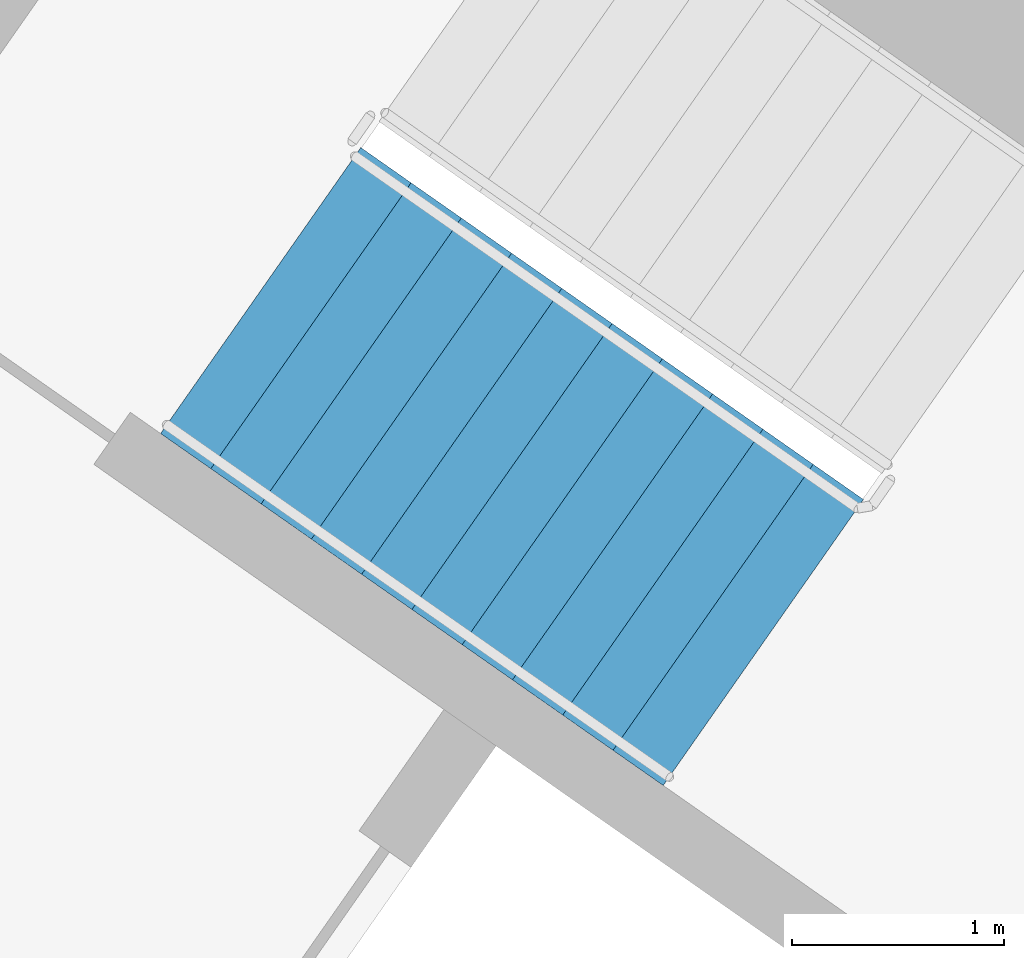
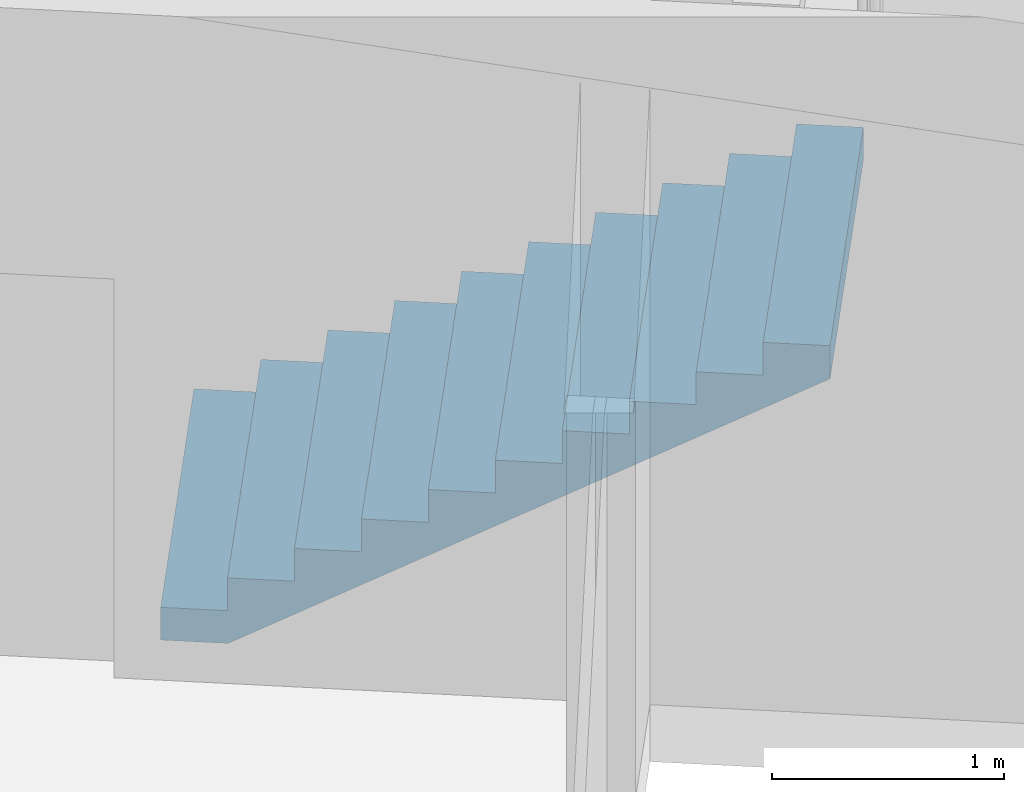
# One storey, part 13 of 31: 1 stair flight, 1 element without a shape of its own.
"""IFC4 building model written with IfcOpenShell, lengths in metres."""

from ifc_helpers import new_model, si_unit, direction, frame, origin, place, context, subcontext, project, spatial, faceted_brep, material, type_object, element, aggregate, save


model = new_model("IFC4")

# Units and contexts
model_context = context("Model", 3, precision=1e-05, world=origin(), true_north=direction((0.0, 1.0)))
body_context = subcontext(model_context, "Body", "Model", "MODEL_VIEW")
ifc_project = project(units=[si_unit("LENGTHUNIT", "METRE"), si_unit("AREAUNIT", "SQUARE_METRE"), si_unit("VOLUMEUNIT", "CUBIC_METRE"), si_unit("PLANEANGLEUNIT", "RADIAN"), si_unit("MASSUNIT", "GRAM", prefix="KILO")], contexts=[model_context])

# Site, building, storey
site_placement = place(None, origin())
site = spatial("IfcSite", under=ifc_project, at=site_placement, CompositionType="ELEMENT")
building_placement = place(site_placement, origin())
building = spatial("IfcBuilding", under=site, at=building_placement, Name="Qamariyya Broadcast Tower", CompositionType="ELEMENT")
storey_placement = place(building_placement, frame((0.0, 0.0, 74.699951171875)))
storey = spatial("IfcBuildingStorey", under=building, at=storey_placement, Name="L15", CompositionType="ELEMENT", Elevation=74.699951171875)

# Stair, stair flight
ifc_material = material(Name="Concrete C50/60", Category="concrete")
stair_type = type_object("IfcStairType", Name="Exit stair 22 risers of 173 mm", PredefinedType="HALF_TURN_STAIR", material=ifc_material)
stair_placement = place(storey_placement, origin())
stair = element("IfcStair", 1, at=stair_placement, inside=storey, type_object=stair_type, Name="L15 Stair W2", PredefinedType="HALF_TURN_STAIR")
stair_flight_type = type_object("IfcStairFlightType", Name="Exit stair flight 11 risers of 173 mm", PredefinedType="STRAIGHT", material=ifc_material)
stair_flight_placement = place(storey_placement, frame((-41.59130859375, -49.15966796875, 0.0), z_axis=(0.0, 0.0, 1.0), x_axis=(0.819152044289, -0.573576436351, 0.0)))
stair_flight = element("IfcStairFlight", 2, at=stair_flight_placement, type_object=stair_flight_type, Name="ST-W2 flight 1", NumberOfRisers=11, NumberOfTreads=10, PredefinedType="STRAIGHT", RiserHeight=0.172727273, TreadLength=0.29, context=body_context, shape_type="Brep", body=[
    faceted_brep([(0.0, 0.824951171875, 0.0), (0.0, 0.824951171875, 0.172607421875), (0.2900390625, 0.824951171875, 0.172607421875), (0.2900390625, 0.824951171875, 0.345458984375), (0.580078125, 0.824951171875, 0.345458984375), (0.580078125, 0.824951171875, 0.51806640625), (0.8701171875, 0.824951171875, 0.51806640625), (0.8701171875, 0.824951171875, 0.69091796875), (1.159912109375, 0.824951171875, 0.69091796875), (1.159912109375, 0.824951171875, 0.863525390625), (1.449951171875, 0.824951171875, 0.863525390625), (1.449951171875, 0.824951171875, 1.036376953125), (1.739990234375, 0.824951171875, 1.036376953125), (1.739990234375, 0.824951171875, 1.208984375), (2.030029296875, 0.824951171875, 1.208984375), (2.030029296875, 0.824951171875, 1.3818359375), (2.320068359375, 0.824951171875, 1.3818359375), (2.320068359375, 0.824951171875, 1.554443359375), (2.610107421875, 0.824951171875, 1.554443359375), (2.610107421875, 0.824951171875, 1.727294921875), (2.89990234375, 0.824951171875, 1.727294921875), (2.89990234375, 0.824951171875, 1.552734375), (0.29296875, 0.824951171875, 0.0), (0.29296875, -0.824951171875, 0.0), (2.89990234375, -0.824951171875, 1.552734375), (2.89990234375, -0.824951171875, 1.727294921875), (2.610107421875, -0.824951171875, 1.727294921875), (2.610107421875, -0.824951171875, 1.554443359375), (2.320068359375, -0.824951171875, 1.554443359375), (2.320068359375, -0.824951171875, 1.3818359375), (2.030029296875, -0.824951171875, 1.3818359375), (2.030029296875, -0.824951171875, 1.208984375), (1.739990234375, -0.824951171875, 1.208984375), (1.739990234375, -0.824951171875, 1.036376953125), (1.449951171875, -0.824951171875, 1.036376953125), (1.449951171875, -0.824951171875, 0.863525390625), (1.159912109375, -0.824951171875, 0.863525390625), (1.159912109375, -0.824951171875, 0.69091796875), (0.8701171875, -0.824951171875, 0.69091796875), (0.8701171875, -0.824951171875, 0.51806640625), (0.580078125, -0.824951171875, 0.51806640625), (0.580078125, -0.824951171875, 0.345458984375), (0.2900390625, -0.824951171875, 0.345458984375), (0.2900390625, -0.824951171875, 0.172607421875), (0.0, -0.824951171875, 0.172607421875), (0.0, -0.824951171875, 0.0), (0.0, 0.10009765625, 0.0), (0.0, 0.086669921875, 0.0), (0.0, 0.0732421875, 0.0), (0.0, 0.06005859375, 0.0), (0.0, 0.046630859375, 0.0), (0.0, 0.033447265625, 0.0), (0.0, 0.02001953125, 0.0), (0.0, 0.006591796875, 0.0), (0.0, -0.006591796875, 0.0), (0.0, -0.02001953125, 0.0), (0.0, -0.033447265625, 0.0), (0.0, -0.046630859375, 0.0), (0.0, -0.06005859375, 0.0), (0.0, -0.0732421875, 0.0), (0.0, -0.086669921875, 0.0), (0.0, -0.10009765625, 0.0), (0.0, -0.10009765625, 0.172607421875), (0.0, -0.086669921875, 0.172607421875), (0.0, -0.0732421875, 0.172607421875), (0.0, -0.06005859375, 0.172607421875), (0.0, -0.046630859375, 0.172607421875), (0.0, -0.033447265625, 0.172607421875), (0.0, -0.02001953125, 0.172607421875), (0.0, -0.006591796875, 0.172607421875), (0.0, 0.006591796875, 0.172607421875), (0.0, 0.02001953125, 0.172607421875), (0.0, 0.033447265625, 0.172607421875), (0.0, 0.046630859375, 0.172607421875), (0.0, 0.06005859375, 0.172607421875), (0.0, 0.0732421875, 0.172607421875), (0.0, 0.086669921875, 0.172607421875), (0.0, 0.10009765625, 0.172607421875), (0.2900390625, -0.10009765625, 0.172607421875), (0.2900390625, -0.086669921875, 0.172607421875), (0.2900390625, -0.0732421875, 0.172607421875), (0.2900390625, -0.06005859375, 0.172607421875), (0.2900390625, -0.046630859375, 0.172607421875), (0.2900390625, -0.033447265625, 0.172607421875), (0.2900390625, -0.02001953125, 0.172607421875), (0.2900390625, -0.006591796875, 0.172607421875), (0.2900390625, 0.006591796875, 0.172607421875), (0.2900390625, 0.02001953125, 0.172607421875), (0.2900390625, 0.033447265625, 0.172607421875), (0.2900390625, 0.046630859375, 0.172607421875), (0.2900390625, 0.06005859375, 0.172607421875), (0.2900390625, 0.0732421875, 0.172607421875), (0.2900390625, 0.086669921875, 0.172607421875), (0.2900390625, 0.10009765625, 0.172607421875), (0.2900390625, -0.10009765625, 0.345458984375), (0.2900390625, -0.086669921875, 0.345458984375), (0.2900390625, -0.0732421875, 0.345458984375), (0.2900390625, -0.06005859375, 0.345458984375), (0.2900390625, -0.046630859375, 0.345458984375), (0.2900390625, -0.033447265625, 0.345458984375), (0.2900390625, -0.02001953125, 0.345458984375), (0.2900390625, -0.006591796875, 0.345458984375), (0.2900390625, 0.006591796875, 0.345458984375), (0.2900390625, 0.02001953125, 0.345458984375), (0.2900390625, 0.033447265625, 0.345458984375), (0.2900390625, 0.046630859375, 0.345458984375), (0.2900390625, 0.06005859375, 0.345458984375), (0.2900390625, 0.0732421875, 0.345458984375), (0.2900390625, 0.086669921875, 0.345458984375), (0.2900390625, 0.10009765625, 0.345458984375), (0.580078125, -0.10009765625, 0.345458984375), (0.580078125, -0.086669921875, 0.345458984375), (0.580078125, -0.0732421875, 0.345458984375), (0.580078125, -0.06005859375, 0.345458984375), (0.580078125, -0.046630859375, 0.345458984375), (0.580078125, -0.033447265625, 0.345458984375), (0.580078125, -0.02001953125, 0.345458984375), (0.580078125, -0.006591796875, 0.345458984375), (0.580078125, 0.006591796875, 0.345458984375), (0.580078125, 0.02001953125, 0.345458984375), (0.580078125, 0.033447265625, 0.345458984375), (0.580078125, 0.046630859375, 0.345458984375), (0.580078125, 0.06005859375, 0.345458984375), (0.580078125, 0.0732421875, 0.345458984375), (0.580078125, 0.086669921875, 0.345458984375), (0.580078125, 0.10009765625, 0.345458984375), (0.580078125, -0.10009765625, 0.51806640625), (0.580078125, -0.086669921875, 0.51806640625), (0.580078125, -0.0732421875, 0.51806640625), (0.580078125, -0.06005859375, 0.51806640625), (0.580078125, -0.046630859375, 0.51806640625), (0.580078125, -0.033447265625, 0.51806640625), (0.580078125, -0.02001953125, 0.51806640625), (0.580078125, -0.006591796875, 0.51806640625), (0.580078125, 0.006591796875, 0.51806640625), (0.580078125, 0.02001953125, 0.51806640625), (0.580078125, 0.033447265625, 0.51806640625), (0.580078125, 0.046630859375, 0.51806640625), (0.580078125, 0.06005859375, 0.51806640625), (0.580078125, 0.0732421875, 0.51806640625), (0.580078125, 0.086669921875, 0.51806640625), (0.580078125, 0.10009765625, 0.51806640625), (0.8701171875, -0.10009765625, 0.51806640625), (0.8701171875, -0.086669921875, 0.51806640625), (0.8701171875, -0.0732421875, 0.51806640625), (0.8701171875, -0.06005859375, 0.51806640625), (0.8701171875, -0.046630859375, 0.51806640625), (0.8701171875, -0.033447265625, 0.51806640625), (0.8701171875, -0.02001953125, 0.51806640625), (0.8701171875, -0.006591796875, 0.51806640625), (0.8701171875, 0.006591796875, 0.51806640625), (0.8701171875, 0.02001953125, 0.51806640625), (0.8701171875, 0.033447265625, 0.51806640625), (0.8701171875, 0.046630859375, 0.51806640625), (0.8701171875, 0.06005859375, 0.51806640625), (0.8701171875, 0.0732421875, 0.51806640625), (0.8701171875, 0.086669921875, 0.51806640625), (0.8701171875, 0.10009765625, 0.51806640625), (0.8701171875, -0.10009765625, 0.69091796875), (0.8701171875, -0.086669921875, 0.69091796875), (0.8701171875, -0.0732421875, 0.69091796875), (0.8701171875, -0.06005859375, 0.69091796875), (0.8701171875, -0.046630859375, 0.69091796875), (0.8701171875, -0.033447265625, 0.69091796875), (0.8701171875, -0.02001953125, 0.69091796875), (0.8701171875, -0.006591796875, 0.69091796875), (0.8701171875, 0.006591796875, 0.69091796875), (0.8701171875, 0.02001953125, 0.69091796875), (0.8701171875, 0.033447265625, 0.69091796875), (0.8701171875, 0.046630859375, 0.69091796875), (0.8701171875, 0.06005859375, 0.69091796875), (0.8701171875, 0.0732421875, 0.69091796875), (0.8701171875, 0.086669921875, 0.69091796875), (0.8701171875, 0.10009765625, 0.69091796875), (1.159912109375, -0.10009765625, 0.69091796875), (1.159912109375, -0.086669921875, 0.69091796875), (1.159912109375, -0.0732421875, 0.69091796875), (1.159912109375, -0.06005859375, 0.69091796875), (1.159912109375, -0.046630859375, 0.69091796875), (1.159912109375, -0.033447265625, 0.69091796875), (1.159912109375, -0.02001953125, 0.69091796875), (1.159912109375, -0.006591796875, 0.69091796875), (1.159912109375, 0.006591796875, 0.69091796875), (1.159912109375, 0.02001953125, 0.69091796875), (1.159912109375, 0.033447265625, 0.69091796875), (1.159912109375, 0.046630859375, 0.69091796875), (1.159912109375, 0.06005859375, 0.69091796875), (1.159912109375, 0.0732421875, 0.69091796875), (1.159912109375, 0.086669921875, 0.69091796875), (1.159912109375, 0.10009765625, 0.69091796875), (1.159912109375, -0.10009765625, 0.863525390625), (1.159912109375, -0.086669921875, 0.863525390625), (1.159912109375, -0.0732421875, 0.863525390625), (1.159912109375, -0.06005859375, 0.863525390625), (1.159912109375, -0.046630859375, 0.863525390625), (1.159912109375, -0.033447265625, 0.863525390625), (1.159912109375, -0.02001953125, 0.863525390625), (1.159912109375, -0.006591796875, 0.863525390625), (1.159912109375, 0.006591796875, 0.863525390625), (1.159912109375, 0.02001953125, 0.863525390625), (1.159912109375, 0.033447265625, 0.863525390625), (1.159912109375, 0.046630859375, 0.863525390625), (1.159912109375, 0.06005859375, 0.863525390625), (1.159912109375, 0.0732421875, 0.863525390625), (1.159912109375, 0.086669921875, 0.863525390625), (1.159912109375, 0.10009765625, 0.863525390625), (1.449951171875, -0.10009765625, 0.863525390625), (1.449951171875, -0.086669921875, 0.863525390625), (1.449951171875, -0.0732421875, 0.863525390625), (1.449951171875, -0.06005859375, 0.863525390625), (1.449951171875, -0.046630859375, 0.863525390625), (1.449951171875, -0.033447265625, 0.863525390625), (1.449951171875, -0.02001953125, 0.863525390625), (1.449951171875, -0.006591796875, 0.863525390625), (1.449951171875, 0.006591796875, 0.863525390625), (1.449951171875, 0.02001953125, 0.863525390625), (1.449951171875, 0.033447265625, 0.863525390625), (1.449951171875, 0.046630859375, 0.863525390625), (1.449951171875, 0.06005859375, 0.863525390625), (1.449951171875, 0.0732421875, 0.863525390625), (1.449951171875, 0.086669921875, 0.863525390625), (1.449951171875, 0.10009765625, 0.863525390625), (1.449951171875, -0.10009765625, 1.036376953125), (1.449951171875, -0.086669921875, 1.036376953125), (1.449951171875, -0.0732421875, 1.036376953125), (1.449951171875, -0.06005859375, 1.036376953125), (1.449951171875, -0.046630859375, 1.036376953125), (1.449951171875, -0.033447265625, 1.036376953125), (1.449951171875, -0.02001953125, 1.036376953125), (1.449951171875, -0.006591796875, 1.036376953125), (1.449951171875, 0.006591796875, 1.036376953125), (1.449951171875, 0.02001953125, 1.036376953125), (1.449951171875, 0.033447265625, 1.036376953125), (1.449951171875, 0.046630859375, 1.036376953125), (1.449951171875, 0.06005859375, 1.036376953125), (1.449951171875, 0.0732421875, 1.036376953125), (1.449951171875, 0.086669921875, 1.036376953125), (1.449951171875, 0.10009765625, 1.036376953125), (1.739990234375, -0.10009765625, 1.036376953125), (1.739990234375, -0.086669921875, 1.036376953125), (1.739990234375, -0.0732421875, 1.036376953125), (1.739990234375, -0.06005859375, 1.036376953125), (1.739990234375, -0.046630859375, 1.036376953125), (1.739990234375, -0.033447265625, 1.036376953125), (1.739990234375, -0.02001953125, 1.036376953125), (1.739990234375, -0.006591796875, 1.036376953125), (1.739990234375, 0.006591796875, 1.036376953125), (1.739990234375, 0.02001953125, 1.036376953125), (1.739990234375, 0.033447265625, 1.036376953125), (1.739990234375, 0.046630859375, 1.036376953125), (1.739990234375, 0.06005859375, 1.036376953125), (1.739990234375, 0.0732421875, 1.036376953125), (1.739990234375, 0.086669921875, 1.036376953125), (1.739990234375, 0.10009765625, 1.036376953125), (1.739990234375, -0.10009765625, 1.208984375), (1.739990234375, -0.086669921875, 1.208984375), (1.739990234375, -0.0732421875, 1.208984375), (1.739990234375, -0.06005859375, 1.208984375), (1.739990234375, -0.046630859375, 1.208984375), (1.739990234375, -0.033447265625, 1.208984375), (1.739990234375, -0.02001953125, 1.208984375), (1.739990234375, -0.006591796875, 1.208984375), (1.739990234375, 0.006591796875, 1.208984375), (1.739990234375, 0.02001953125, 1.208984375), (1.739990234375, 0.033447265625, 1.208984375), (1.739990234375, 0.046630859375, 1.208984375), (1.739990234375, 0.06005859375, 1.208984375), (1.739990234375, 0.0732421875, 1.208984375), (1.739990234375, 0.086669921875, 1.208984375), (1.739990234375, 0.10009765625, 1.208984375), (2.030029296875, -0.10009765625, 1.208984375), (2.030029296875, -0.086669921875, 1.208984375), (2.030029296875, -0.0732421875, 1.208984375), (2.030029296875, -0.06005859375, 1.208984375), (2.030029296875, -0.046630859375, 1.208984375), (2.030029296875, -0.033447265625, 1.208984375), (2.030029296875, -0.02001953125, 1.208984375), (2.030029296875, -0.006591796875, 1.208984375), (2.030029296875, 0.006591796875, 1.208984375), (2.030029296875, 0.02001953125, 1.208984375), (2.030029296875, 0.033447265625, 1.208984375), (2.030029296875, 0.046630859375, 1.208984375), (2.030029296875, 0.06005859375, 1.208984375), (2.030029296875, 0.0732421875, 1.208984375), (2.030029296875, 0.086669921875, 1.208984375), (2.030029296875, 0.10009765625, 1.208984375), (2.030029296875, -0.10009765625, 1.3818359375), (2.030029296875, -0.086669921875, 1.3818359375), (2.030029296875, -0.0732421875, 1.3818359375), (2.030029296875, -0.06005859375, 1.3818359375), (2.030029296875, -0.046630859375, 1.3818359375), (2.030029296875, -0.033447265625, 1.3818359375), (2.030029296875, -0.02001953125, 1.3818359375), (2.030029296875, -0.006591796875, 1.3818359375), (2.030029296875, 0.006591796875, 1.3818359375), (2.030029296875, 0.02001953125, 1.3818359375), (2.030029296875, 0.033447265625, 1.3818359375), (2.030029296875, 0.046630859375, 1.3818359375), (2.030029296875, 0.06005859375, 1.3818359375), (2.030029296875, 0.0732421875, 1.3818359375), (2.030029296875, 0.086669921875, 1.3818359375), (2.030029296875, 0.10009765625, 1.3818359375), (2.320068359375, -0.10009765625, 1.3818359375), (2.320068359375, -0.086669921875, 1.3818359375), (2.320068359375, -0.0732421875, 1.3818359375), (2.320068359375, -0.06005859375, 1.3818359375), (2.320068359375, -0.046630859375, 1.3818359375), (2.320068359375, -0.033447265625, 1.3818359375), (2.320068359375, -0.02001953125, 1.3818359375), (2.320068359375, -0.006591796875, 1.3818359375), (2.320068359375, 0.006591796875, 1.3818359375), (2.320068359375, 0.02001953125, 1.3818359375), (2.320068359375, 0.033447265625, 1.3818359375), (2.320068359375, 0.046630859375, 1.3818359375), (2.320068359375, 0.06005859375, 1.3818359375), (2.320068359375, 0.0732421875, 1.3818359375), (2.320068359375, 0.086669921875, 1.3818359375), (2.320068359375, 0.10009765625, 1.3818359375), (2.320068359375, -0.10009765625, 1.554443359375), (2.320068359375, -0.086669921875, 1.554443359375), (2.320068359375, -0.0732421875, 1.554443359375), (2.320068359375, -0.06005859375, 1.554443359375), (2.320068359375, -0.046630859375, 1.554443359375), (2.320068359375, -0.033447265625, 1.554443359375), (2.320068359375, -0.02001953125, 1.554443359375), (2.320068359375, -0.006591796875, 1.554443359375), (2.320068359375, 0.006591796875, 1.554443359375), (2.320068359375, 0.02001953125, 1.554443359375), (2.320068359375, 0.033447265625, 1.554443359375), (2.320068359375, 0.046630859375, 1.554443359375), (2.320068359375, 0.06005859375, 1.554443359375), (2.320068359375, 0.0732421875, 1.554443359375), (2.320068359375, 0.086669921875, 1.554443359375), (2.320068359375, 0.10009765625, 1.554443359375), (2.610107421875, -0.10009765625, 1.554443359375), (2.610107421875, -0.086669921875, 1.554443359375), (2.610107421875, -0.0732421875, 1.554443359375), (2.610107421875, -0.06005859375, 1.554443359375), (2.610107421875, -0.046630859375, 1.554443359375), (2.610107421875, -0.033447265625, 1.554443359375), (2.610107421875, -0.02001953125, 1.554443359375), (2.610107421875, -0.006591796875, 1.554443359375), (2.610107421875, 0.006591796875, 1.554443359375), (2.610107421875, 0.02001953125, 1.554443359375), (2.610107421875, 0.033447265625, 1.554443359375), (2.610107421875, 0.046630859375, 1.554443359375), (2.610107421875, 0.06005859375, 1.554443359375), (2.610107421875, 0.0732421875, 1.554443359375), (2.610107421875, 0.086669921875, 1.554443359375), (2.610107421875, 0.10009765625, 1.554443359375), (2.610107421875, -0.10009765625, 1.727294921875), (2.610107421875, -0.086669921875, 1.727294921875), (2.610107421875, -0.0732421875, 1.727294921875), (2.610107421875, -0.06005859375, 1.727294921875), (2.610107421875, -0.046630859375, 1.727294921875), (2.610107421875, -0.033447265625, 1.727294921875), (2.610107421875, -0.02001953125, 1.727294921875), (2.610107421875, -0.006591796875, 1.727294921875), (2.610107421875, 0.006591796875, 1.727294921875), (2.610107421875, 0.02001953125, 1.727294921875), (2.610107421875, 0.033447265625, 1.727294921875), (2.610107421875, 0.046630859375, 1.727294921875), (2.610107421875, 0.06005859375, 1.727294921875), (2.610107421875, 0.0732421875, 1.727294921875), (2.610107421875, 0.086669921875, 1.727294921875), (2.610107421875, 0.10009765625, 1.727294921875), (2.89990234375, -0.10009765625, 1.727294921875), (2.89990234375, -0.086669921875, 1.727294921875), (2.89990234375, -0.0732421875, 1.727294921875), (2.89990234375, -0.06005859375, 1.727294921875), (2.89990234375, -0.046630859375, 1.727294921875), (2.89990234375, -0.033447265625, 1.727294921875), (2.89990234375, -0.02001953125, 1.727294921875), (2.89990234375, -0.006591796875, 1.727294921875), (2.89990234375, 0.006591796875, 1.727294921875), (2.89990234375, 0.02001953125, 1.727294921875), (2.89990234375, 0.033447265625, 1.727294921875), (2.89990234375, 0.046630859375, 1.727294921875), (2.89990234375, 0.06005859375, 1.727294921875), (2.89990234375, 0.0732421875, 1.727294921875), (2.89990234375, 0.086669921875, 1.727294921875), (2.89990234375, 0.10009765625, 1.727294921875), (2.89990234375, -0.10009765625, 1.552734375), (2.89990234375, -0.086669921875, 1.552734375), (2.89990234375, -0.0732421875, 1.552734375), (2.89990234375, -0.06005859375, 1.552734375), (2.89990234375, -0.046630859375, 1.552734375), (2.89990234375, -0.033447265625, 1.552734375), (2.89990234375, -0.02001953125, 1.552734375), (2.89990234375, -0.006591796875, 1.552734375), (2.89990234375, 0.006591796875, 1.552734375), (2.89990234375, 0.02001953125, 1.552734375), (2.89990234375, 0.033447265625, 1.552734375), (2.89990234375, 0.046630859375, 1.552734375), (2.89990234375, 0.06005859375, 1.552734375), (2.89990234375, 0.0732421875, 1.552734375), (2.89990234375, 0.086669921875, 1.552734375), (2.89990234375, 0.10009765625, 1.552734375), (0.29296875, -0.10009765625, 0.0), (0.29296875, -0.086669921875, 0.0), (0.29296875, -0.0732421875, 0.0), (0.29296875, -0.06005859375, 0.0), (0.29296875, -0.046630859375, 0.0), (0.29296875, -0.033447265625, 0.0), (0.29296875, -0.02001953125, 0.0), (0.29296875, -0.006591796875, 0.0), (0.29296875, 0.006591796875, 0.0), (0.29296875, 0.02001953125, 0.0), (0.29296875, 0.033447265625, 0.0), (0.29296875, 0.046630859375, 0.0), (0.29296875, 0.06005859375, 0.0), (0.29296875, 0.0732421875, 0.0), (0.29296875, 0.086669921875, 0.0), (0.29296875, 0.10009765625, 0.0)], [[[0, 1, 2, 3, 4, 5, 6, 7, 8, 9, 10, 11, 12, 13, 14, 15, 16, 17, 18, 19, 20, 21, 22]], [[23, 24, 25, 26, 27, 28, 29, 30, 31, 32, 33, 34, 35, 36, 37, 38, 39, 40, 41, 42, 43, 44, 45]], [[0, 46, 47, 48, 49, 50, 51, 52, 53, 54, 55, 56, 57, 58, 59, 60, 61, 45, 44, 62, 63, 64, 65, 66, 67, 68, 69, 70, 71, 72, 73, 74, 75, 76, 77, 1]], [[1, 77, 76, 75, 74, 73, 72, 71, 70, 69, 68, 67, 66, 65, 64, 63, 62, 44, 43, 78, 79, 80, 81, 82, 83, 84, 85, 86, 87, 88, 89, 90, 91, 92, 93, 2]], [[2, 93, 92, 91, 90, 89, 88, 87, 86, 85, 84, 83, 82, 81, 80, 79, 78, 43, 42, 94, 95, 96, 97, 98, 99, 100, 101, 102, 103, 104, 105, 106, 107, 108, 109, 3]], [[3, 109, 108, 107, 106, 105, 104, 103, 102, 101, 100, 99, 98, 97, 96, 95, 94, 42, 41, 110, 111, 112, 113, 114, 115, 116, 117, 118, 119, 120, 121, 122, 123, 124, 125, 4]], [[4, 125, 124, 123, 122, 121, 120, 119, 118, 117, 116, 115, 114, 113, 112, 111, 110, 41, 40, 126, 127, 128, 129, 130, 131, 132, 133, 134, 135, 136, 137, 138, 139, 140, 141, 5]], [[5, 141, 140, 139, 138, 137, 136, 135, 134, 133, 132, 131, 130, 129, 128, 127, 126, 40, 39, 142, 143, 144, 145, 146, 147, 148, 149, 150, 151, 152, 153, 154, 155, 156, 157, 6]], [[6, 157, 156, 155, 154, 153, 152, 151, 150, 149, 148, 147, 146, 145, 144, 143, 142, 39, 38, 158, 159, 160, 161, 162, 163, 164, 165, 166, 167, 168, 169, 170, 171, 172, 173, 7]], [[7, 173, 172, 171, 170, 169, 168, 167, 166, 165, 164, 163, 162, 161, 160, 159, 158, 38, 37, 174, 175, 176, 177, 178, 179, 180, 181, 182, 183, 184, 185, 186, 187, 188, 189, 8]], [[8, 189, 188, 187, 186, 185, 184, 183, 182, 181, 180, 179, 178, 177, 176, 175, 174, 37, 36, 190, 191, 192, 193, 194, 195, 196, 197, 198, 199, 200, 201, 202, 203, 204, 205, 9]], [[9, 205, 204, 203, 202, 201, 200, 199, 198, 197, 196, 195, 194, 193, 192, 191, 190, 36, 35, 206, 207, 208, 209, 210, 211, 212, 213, 214, 215, 216, 217, 218, 219, 220, 221, 10]], [[10, 221, 220, 219, 218, 217, 216, 215, 214, 213, 212, 211, 210, 209, 208, 207, 206, 35, 34, 222, 223, 224, 225, 226, 227, 228, 229, 230, 231, 232, 233, 234, 235, 236, 237, 11]], [[11, 237, 236, 235, 234, 233, 232, 231, 230, 229, 228, 227, 226, 225, 224, 223, 222, 34, 33, 238, 239, 240, 241, 242, 243, 244, 245, 246, 247, 248, 249, 250, 251, 252, 253, 12]], [[12, 253, 252, 251, 250, 249, 248, 247, 246, 245, 244, 243, 242, 241, 240, 239, 238, 33, 32, 254, 255, 256, 257, 258, 259, 260, 261, 262, 263, 264, 265, 266, 267, 268, 269, 13]], [[13, 269, 268, 267, 266, 265, 264, 263, 262, 261, 260, 259, 258, 257, 256, 255, 254, 32, 31, 270, 271, 272, 273, 274, 275, 276, 277, 278, 279, 280, 281, 282, 283, 284, 285, 14]], [[14, 285, 284, 283, 282, 281, 280, 279, 278, 277, 276, 275, 274, 273, 272, 271, 270, 31, 30, 286, 287, 288, 289, 290, 291, 292, 293, 294, 295, 296, 297, 298, 299, 300, 301, 15]], [[15, 301, 300, 299, 298, 297, 296, 295, 294, 293, 292, 291, 290, 289, 288, 287, 286, 30, 29, 302, 303, 304, 305, 306, 307, 308, 309, 310, 311, 312, 313, 314, 315, 316, 317, 16]], [[16, 317, 316, 315, 314, 313, 312, 311, 310, 309, 308, 307, 306, 305, 304, 303, 302, 29, 28, 318, 319, 320, 321, 322, 323, 324, 325, 326, 327, 328, 329, 330, 331, 332, 333, 17]], [[17, 333, 332, 331, 330, 329, 328, 327, 326, 325, 324, 323, 322, 321, 320, 319, 318, 28, 27, 334, 335, 336, 337, 338, 339, 340, 341, 342, 343, 344, 345, 346, 347, 348, 349, 18]], [[18, 349, 348, 347, 346, 345, 344, 343, 342, 341, 340, 339, 338, 337, 336, 335, 334, 27, 26, 350, 351, 352, 353, 354, 355, 356, 357, 358, 359, 360, 361, 362, 363, 364, 365, 19]], [[19, 365, 364, 363, 362, 361, 360, 359, 358, 357, 356, 355, 354, 353, 352, 351, 350, 26, 25, 366, 367, 368, 369, 370, 371, 372, 373, 374, 375, 376, 377, 378, 379, 380, 381, 20]], [[20, 381, 380, 379, 378, 377, 376, 375, 374, 373, 372, 371, 370, 369, 368, 367, 366, 25, 24, 382, 383, 384, 385, 386, 387, 388, 389, 390, 391, 392, 393, 394, 395, 396, 397, 21]], [[21, 397, 396, 395, 394, 393, 392, 391, 390, 389, 388, 387, 386, 385, 384, 383, 382, 24, 23, 398, 399, 400, 401, 402, 403, 404, 405, 406, 407, 408, 409, 410, 411, 412, 413, 22]], [[22, 413, 412, 411, 410, 409, 408, 407, 406, 405, 404, 403, 402, 401, 400, 399, 398, 23, 45, 61, 60, 59, 58, 57, 56, 55, 54, 53, 52, 51, 50, 49, 48, 47, 46, 0]]]),
])
aggregate(stair, [stair_flight])

save(model, "model.ifc")
